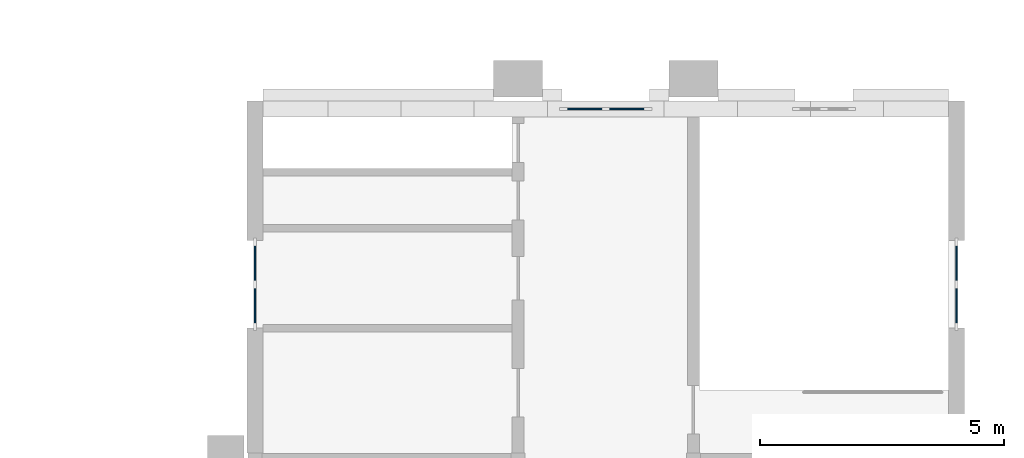
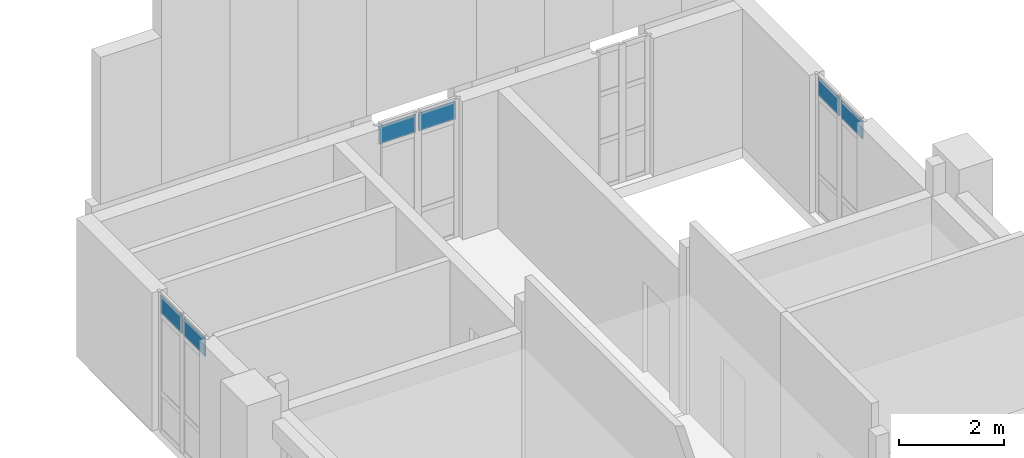
# One storey, part 40 of 71: 6 plates, 3 elements without a shape of their own.
"""IFC4 building model written with IfcOpenShell, lengths in metres."""

import ifcopenshell
import ifcopenshell.guid

model = None  # the IFC model being written
_history = None  # IfcOwnerHistory: only IFC2X3 demands one
_inside = {}  # id of a spatial element -> (the spatial element, [elements in it])
_under = {}  # id of a project, library or spatial element -> (it, [spatial elements below it])
_declared = {}  # id of a project -> (the project, [libraries it declares])
_typed = {}  # id of a type object -> (the type object, [elements of that type])
_made_of = {}  # id of a material, layer set ... -> (it, [elements and type objects made of it])


def new_model(schema):
    """Start an empty IFC model of exactly this schema.

    Asked for "IFC4X3", IfcOpenShell would pick the latest addendum, in which some entities
    have other attributes; the version numbers below select the first issue.
    IFC2X3 requires an IfcOwnerHistory on every rooted entity: one is made here for all.
    """
    global model, _history
    if schema == "IFC4X3":
        model = ifcopenshell.file(schema_version=(4, 3, 0, 0))
    else:
        model = ifcopenshell.file(schema=schema)
    _inside.clear()
    _under.clear()
    _declared.clear()
    _typed.clear()
    _made_of.clear()
    _history = None
    if model.schema == "IFC2X3":
        org = make("IfcOrganization", Name="unknown")
        user = make(
            "IfcPersonAndOrganization",
            ThePerson=make("IfcPerson", FamilyName="unknown"),
            TheOrganization=org,
        )
        app = make(
            "IfcApplication",
            ApplicationDeveloper=org,
            Version="unknown",
            ApplicationFullName="unknown",
            ApplicationIdentifier="unknown",
        )
        _history = make(
            "IfcOwnerHistory",
            OwningUser=user,
            OwningApplication=app,
            ChangeAction="ADDED",
            CreationDate=0,
        )
    return model


def make(cls, **values):
    """One entity of the class cls with the attributes given. An attribute that is None is left unset."""
    return model.create_entity(
        cls, **{name: value for name, value in values.items() if value is not None}
    )


def rooted(cls, **values):
    """An entity with a GlobalId (a new one), such as an element, a storey or a relation."""
    return make(cls, GlobalId=ifcopenshell.guid.new(), OwnerHistory=_history, **values)


def si_unit(unit_type, name, prefix=None):
    """IfcSIUnit, for example si_unit("LENGTHUNIT", "METRE", prefix="MILLI")."""
    return make("IfcSIUnit", UnitType=unit_type, Prefix=prefix, Name=name)


def assignment(units):
    """IfcUnitAssignment: the units of a project."""
    return None if units is None else make("IfcUnitAssignment", Units=units)


def point(xyz):
    """IfcCartesianPoint."""
    return None if xyz is None else make("IfcCartesianPoint", Coordinates=xyz)


def direction(xyz):
    """IfcDirection."""
    return None if xyz is None else make("IfcDirection", DirectionRatios=xyz)


def frame(location, z_axis=None, x_axis=None):
    """IfcAxis2Placement3D, a coordinate frame: its origin and axes. An axis left out is left unset."""
    return make(
        "IfcAxis2Placement3D",
        Location=point(location),
        Axis=direction(z_axis),
        RefDirection=direction(x_axis),
    )


def frame_2d(location, x_axis=None):
    """IfcAxis2Placement2D, a coordinate frame in the plane: its origin and x axis."""
    return make(
        "IfcAxis2Placement2D", Location=point(location), RefDirection=direction(x_axis)
    )


def origin():
    """The frame at (0, 0, 0) with its axes left unset."""
    return frame((0.0, 0.0, 0.0))


def origin_2d():
    """The frame at (0, 0) in the plane with its x axis left unset."""
    return frame_2d((0.0, 0.0))


def place(relative_to, where):
    """IfcLocalPlacement: puts the frame where relative to a parent placement (None: the world)."""
    return make(
        "IfcLocalPlacement", PlacementRelTo=relative_to, RelativePlacement=where
    )


def context(
    kind, dimensions, precision=None, world=None, true_north=None, identifier=None
):
    """IfcGeometricRepresentationContext, for example the 3D "Model" context."""
    return make(
        "IfcGeometricRepresentationContext",
        ContextIdentifier=identifier,
        ContextType=kind,
        CoordinateSpaceDimension=dimensions,
        Precision=precision,
        WorldCoordinateSystem=world,
        TrueNorth=true_north,
    )


def subcontext(parent, identifier, kind, view, scale=None):
    """IfcGeometricRepresentationSubContext, for example "Body" below "Model"."""
    return make(
        "IfcGeometricRepresentationSubContext",
        ContextIdentifier=identifier,
        ContextType=kind,
        ParentContext=parent,
        TargetScale=scale,
        TargetView=view,
    )


def project(units=None, contexts=None):
    """IfcProject with its units and contexts."""
    return rooted(
        "IfcProject",
        Name="project",
        RepresentationContexts=contexts,
        UnitsInContext=assignment(units),
    )


def spatial(cls, under=None, at=None, **own):
    """A site, building, storey or space (cls), placed at a placement, below another one or the project."""
    s = rooted(cls, ObjectPlacement=at, **own)
    if under is not None:
        _under.setdefault(under.id(), (under, []))[1].append(s)
    return s


def profile(cls, at=None, kind="AREA", **sizes):
    """A parametric profile (cls). Its sizes go by their IFC names, for example OverallWidth=200.0."""
    return make(cls, ProfileType=kind, Position=at, **sizes)


def rectangle(**sizes):
    """IfcRectangleProfileDef."""
    return profile("IfcRectangleProfileDef", **sizes)


def extrude(swept, where, along, depth):
    """IfcExtrudedAreaSolid: the profile swept, set in the frame where, extruded along a direction by depth."""
    return make(
        "IfcExtrudedAreaSolid",
        SweptArea=swept,
        Position=where,
        ExtrudedDirection=direction(along),
        Depth=depth,
    )


def shape(context_of_items, identifier, shape_type, items):
    """IfcShapeRepresentation: the items that make up one representation, for example the "Body"."""
    return make(
        "IfcShapeRepresentation",
        ContextOfItems=context_of_items,
        RepresentationIdentifier=identifier,
        RepresentationType=shape_type,
        Items=items,
    )


def material(Name=None, Category=None):
    """IfcMaterial."""
    return make("IfcMaterial", Name=Name, Category=Category)


def layer(
    of_material, thickness, ventilated=None, Name=None, Category=None, Priority=None
):
    """IfcMaterialLayer: one layer of a wall or slab, of a material (None: an air gap)."""
    return make(
        "IfcMaterialLayer",
        Material=of_material,
        LayerThickness=thickness,
        IsVentilated=ventilated,
        Name=Name,
        Category=Category,
        Priority=Priority,
    )


def layer_set(layers, Name=None):
    """IfcMaterialLayerSet."""
    return make("IfcMaterialLayerSet", MaterialLayers=layers, LayerSetName=Name)


def made_of(thing, what):
    """Note that an element or type object is made of a material, layer set ...; save() writes the relation."""
    if what is not None:
        _made_of.setdefault(what.id(), (what, []))[1].append(thing)
    return thing


def type_object(cls, material=None, **own):
    """A type object (cls), such as IfcWallType, which elements share."""
    return made_of(rooted(cls, **own), material)


def element(
    cls,
    number,
    at=None,
    inside=None,
    cuts=None,
    type_object=None,
    material=None,
    context=None,
    identifier="Body",
    shape_type=None,
    held_by="IfcProductDefinitionShape",
    body=None,
    shapes=None,
    **own,
):
    """One element of the class cls, such as IfcWall. Its Tag is "e" and its number.

    at: its placement. inside: the storey or other place that contains it. cuts: it is an
    opening in that element (IfcRelVoidsElement). A single representation is given by context,
    identifier, shape_type and body (its items); several are given by shapes. held_by: the class
    of the entity that holds the representations. save() writes the other relations.
    """
    e = rooted(cls, Tag="e%d" % number, ObjectPlacement=at, **own)
    if body is not None:
        shapes = [shape(context, identifier, shape_type, body)]
    if shapes is not None:
        e.Representation = make(held_by, Representations=shapes)
    if inside is not None:
        _inside.setdefault(inside.id(), (inside, []))[1].append(e)
    if cuts is not None:
        rooted(
            "IfcRelVoidsElement", RelatingBuildingElement=cuts, RelatedOpeningElement=e
        )
    if type_object is not None:
        _typed.setdefault(type_object.id(), (type_object, []))[1].append(e)
    return made_of(e, material)


def aggregate(whole, parts):
    """IfcRelAggregates: a whole, such as a stair, and the parts it consists of."""
    return rooted("IfcRelAggregates", RelatingObject=whole, RelatedObjects=parts)


def save(model, path):
    """Write the relations noted so far, then the file.

    IfcRelAggregates (storeys below a building ...), IfcRelContainedInSpatialStructure (elements
    in a storey), IfcRelDefinesByType, IfcRelAssociatesMaterial and IfcRelDeclares: one each for
    every whole, place, type object, material and project.
    """
    for whole, parts in _under.values():
        aggregate(whole, parts)
    for where, things in _inside.values():
        rooted(
            "IfcRelContainedInSpatialStructure",
            RelatedElements=things,
            RelatingStructure=where,
        )
    for kind, things in _typed.values():
        rooted("IfcRelDefinesByType", RelatedObjects=things, RelatingType=kind)
    for what, things in _made_of.values():
        rooted("IfcRelAssociatesMaterial", RelatedObjects=things, RelatingMaterial=what)
    for by, libraries in _declared.values():
        rooted("IfcRelDeclares", RelatingContext=by, RelatedDefinitions=libraries)
    model.write(path)


model = new_model("IFC4")

# Units and contexts
model_context = context("Model", 3, precision=1e-05, world=origin(), true_north=direction((0.0, 1.0)))
body_context = subcontext(model_context, "Body", "Model", "MODEL_VIEW")
ifc_project = project(units=[si_unit("LENGTHUNIT", "METRE"), si_unit("AREAUNIT", "SQUARE_METRE"), si_unit("VOLUMEUNIT", "CUBIC_METRE"), si_unit("PLANEANGLEUNIT", "RADIAN"), si_unit("MASSUNIT", "GRAM", prefix="KILO")], contexts=[model_context])

# Site, building, storey
site_placement = place(None, origin())
site = spatial("IfcSite", under=ifc_project, at=site_placement, CompositionType="ELEMENT")
building_placement = place(site_placement, origin())
building = spatial("IfcBuilding", under=site, at=building_placement, Name="Mazhai Court Health Centre", CompositionType="ELEMENT")
storey_placement = place(building_placement, frame((0.0, 0.0, 10.199951171875)))
storey = spatial("IfcBuildingStorey", under=building, at=storey_placement, Name="L02", CompositionType="ELEMENT", Elevation=10.199951171875)

# Curtain wall, plates
ifc_material_1 = material(Name="Teak timber frame, glazed", Category="wood")
ifc_layer_1 = layer(ifc_material_1, 0.10009765625)
ifc_layer_set_1 = layer_set([ifc_layer_1], Name="CURTAIN WALL TIMBER 900")
curtain_wall_type = type_object("IfcCurtainWallType", Name="CURTAIN WALL TIMBER 900", PredefinedType="NOTDEFINED", material=ifc_layer_set_1)
curtain_wall_1_placement = place(storey_placement, origin())
curtain_wall_1 = element("IfcCurtainWall", 1, at=curtain_wall_1_placement, inside=storey, type_object=curtain_wall_type, Name="CW-V6-L02-A5", PredefinedType="NOTDEFINED")
ifc_material_2 = material(Name="Glass IGU 28 mm", Category="glass")
ifc_layer_2 = layer(ifc_material_2, 0.028076171875)
ifc_layer_set_2 = layer_set([ifc_layer_2], Name="CW PANEL IGU 28")
plate_type = type_object("IfcPlateType", Name="CW PANEL IGU 28", PredefinedType="CURTAIN_PANEL", material=ifc_layer_set_2)
plate_1_placement = place(storey_placement, frame((135.800048828125, 45.364990234375, 2.72998046875), z_axis=(0.0, 0.0, 1.0), x_axis=(0.0, 1.0, 0.0)))
plate_1 = element("IfcPlate", 2, at=plate_1_placement, type_object=plate_type, Name="CW panel 1.3", PredefinedType="CURTAIN_PANEL", context=body_context, shape_type="SweptSolid", body=[
    extrude(rectangle(XDim=0.81005859375, YDim=0.028076171875, at=origin_2d()), origin(), (0.0, 0.0, 1.0), 0.409912109375),
])
plate_2_placement = place(storey_placement, frame((135.800048828125, 46.235107421875, 2.72998046875), z_axis=(0.0, 0.0, 1.0), x_axis=(0.0, 1.0, 0.0)))
plate_2 = element("IfcPlate", 3, at=plate_2_placement, type_object=plate_type, Name="CW panel 2.3", PredefinedType="CURTAIN_PANEL", context=body_context, shape_type="SweptSolid", body=[
    extrude(rectangle(XDim=0.81005859375, YDim=0.028076171875, at=origin_2d()), origin(), (0.0, 0.0, 1.0), 0.409912109375),
])
aggregate(curtain_wall_1, [plate_1, plate_2])

curtain_wall_2_placement = place(storey_placement, origin())
curtain_wall_2 = element("IfcCurtainWall", 4, at=curtain_wall_2_placement, inside=storey, type_object=curtain_wall_type, Name="CW-V6-L02-B5", PredefinedType="NOTDEFINED")
plate_3_placement = place(storey_placement, frame((150.199951171875, 46.235107421875, 2.72998046875), z_axis=(0.0, 0.0, 1.0), x_axis=(0.0, -1.0, 0.0)))
plate_3 = element("IfcPlate", 5, at=plate_3_placement, type_object=plate_type, Name="CW panel 1.3", PredefinedType="CURTAIN_PANEL", context=body_context, shape_type="SweptSolid", body=[
    extrude(rectangle(XDim=0.81005859375, YDim=0.028076171875, at=origin_2d()), origin(), (0.0, 0.0, 1.0), 0.409912109375),
])
plate_4_placement = place(storey_placement, frame((150.199951171875, 45.364990234375, 2.72998046875), z_axis=(0.0, 0.0, 1.0), x_axis=(0.0, -1.0, 0.0)))
plate_4 = element("IfcPlate", 6, at=plate_4_placement, type_object=plate_type, Name="CW panel 2.3", PredefinedType="CURTAIN_PANEL", context=body_context, shape_type="SweptSolid", body=[
    extrude(rectangle(XDim=0.81005859375, YDim=0.028076171875, at=origin_2d()), origin(), (0.0, 0.0, 1.0), 0.409912109375),
])
aggregate(curtain_wall_2, [plate_3, plate_4])

curtain_wall_3_placement = place(storey_placement, origin())
curtain_wall_3 = element("IfcCurtainWall", 7, at=curtain_wall_3_placement, inside=storey, type_object=curtain_wall_type, Name="CW-V6-L02-ELIFT0", PredefinedType="NOTDEFINED")
plate_5_placement = place(storey_placement, frame((142.56494140625, 49.39990234375, 2.72998046875), z_axis=(0.0, 0.0, 1.0), x_axis=(1.0, 0.0, 0.0)))
plate_5 = element("IfcPlate", 8, at=plate_5_placement, type_object=plate_type, Name="CW panel 1.3", PredefinedType="CURTAIN_PANEL", context=body_context, shape_type="SweptSolid", body=[
    extrude(rectangle(XDim=0.81005859375, YDim=0.028076171875, at=origin_2d()), origin(), (0.0, 0.0, 1.0), 0.409912109375),
])
plate_6_placement = place(storey_placement, frame((143.43505859375, 49.39990234375, 2.72998046875), z_axis=(0.0, 0.0, 1.0), x_axis=(1.0, 0.0, 0.0)))
plate_6 = element("IfcPlate", 9, at=plate_6_placement, type_object=plate_type, Name="CW panel 2.3", PredefinedType="CURTAIN_PANEL", context=body_context, shape_type="SweptSolid", body=[
    extrude(rectangle(XDim=0.81005859375, YDim=0.028076171875, at=origin_2d()), origin(), (0.0, 0.0, 1.0), 0.409912109375),
])
aggregate(curtain_wall_3, [plate_5, plate_6])

save(model, "model.ifc")
